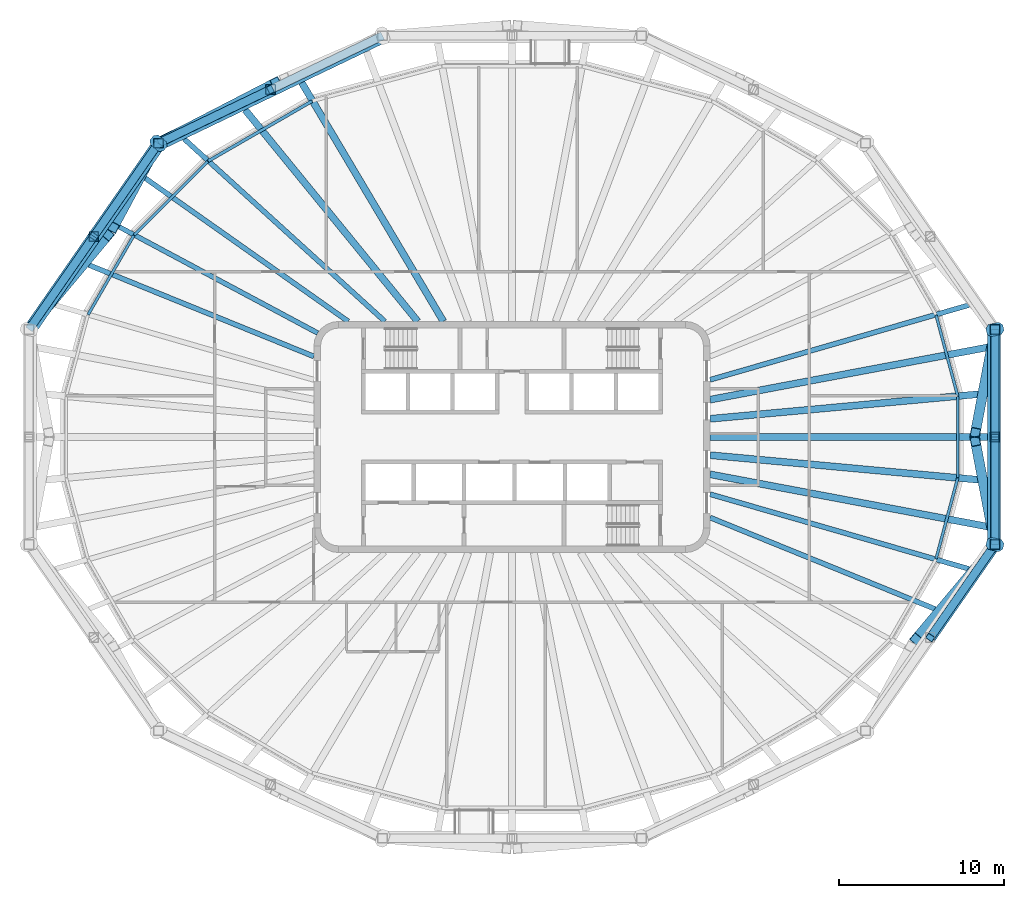
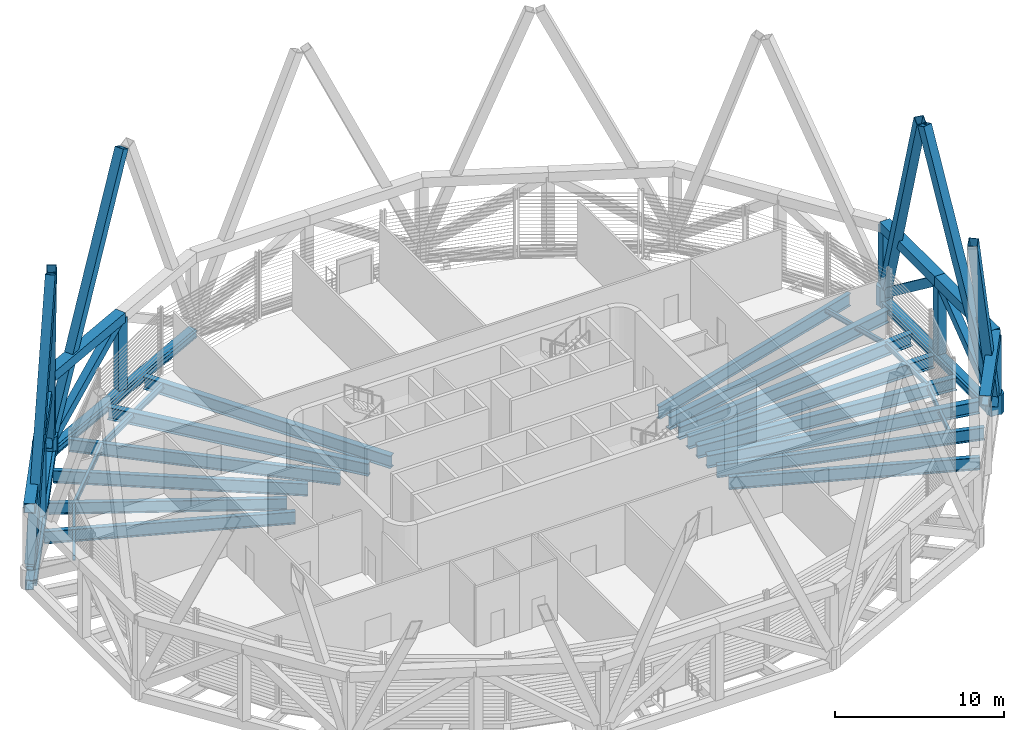
# One storey, part 3 of 16: 27 members, 26 beams.
"""IFC4 building model written with IfcOpenShell, lengths in metres."""

from ifc_helpers import new_model, si_unit, direction, frame, origin, origin_2d, place, context, subcontext, project, spatial, polyline, hollow_rectangle, i_section, outline, extrude, material, material_profile, profile_set, type_object, element, save


model = new_model("IFC4")

# Units and contexts
model_context = context("Model", 3, precision=1e-05, world=origin(), true_north=direction((0.0, 1.0)))
body_context = subcontext(model_context, "Body", "Model", "MODEL_VIEW")
ifc_project = project(units=[si_unit("LENGTHUNIT", "METRE"), si_unit("AREAUNIT", "SQUARE_METRE"), si_unit("VOLUMEUNIT", "CUBIC_METRE"), si_unit("PLANEANGLEUNIT", "RADIAN"), si_unit("MASSUNIT", "GRAM", prefix="KILO")], contexts=[model_context])

# Site, building, storey
site_placement = place(None, origin())
site = spatial("IfcSite", under=ifc_project, at=site_placement, CompositionType="ELEMENT")
building_placement = place(site_placement, origin())
building = spatial("IfcBuilding", under=site, at=building_placement, Name="Sahrelin Media Tower", CompositionType="ELEMENT")
storey_placement = place(building_placement, frame((0.0, 0.0, 299.0)))
storey = spatial("IfcBuildingStorey", under=building, at=storey_placement, Name="L66", CompositionType="ELEMENT", Elevation=299.0)

# Members
ifc_material_1 = material(Name="Steel S460", Category="steel")
ifc_material_profile_1 = material_profile(ifc_material_1, hollow_rectangle(XDim=0.699951171875, YDim=0.699951171875, WallThickness=0.044921875, at=origin_2d()), Name="Belt truss chord BC")
ifc_profile_set_1 = profile_set([ifc_material_profile_1], Name="Steel S460")
member_type_1 = type_object("IfcMemberType", Name="Belt truss chord BC", PredefinedType="CHORD", material=ifc_profile_set_1)
member_1_placement = place(storey_placement, frame((-14.625, 21.047119140625, 4.89990234375), z_axis=(-0.901630319663, -0.432507533651, 0.0), x_axis=(0.432507533651, -0.901630319663, 0.0)))
element("IfcMember", 1, at=member_1_placement, inside=storey, type_object=member_type_1, Name="Belt truss member BT15-03-T2", PredefinedType="CHORD", context=body_context, shape_type="SweptSolid", body=[
    extrude(hollow_rectangle(XDim=0.699951171875, YDim=0.699951171875, WallThickness=0.044921875, at=origin_2d()), origin(), (0.0, 0.0, 1.0), 7.52783203125),
])
for number, where, z_axis, x_axis, name in (
    (2, (-21.412353515625, 17.791259765625, 4.89990234375), (-0.57061963931, -0.821214483088, 0.0), (0.821214483088, -0.57061963931, 0.0), "Belt truss member BT15-04-T1"),
    (3, (-25.3310546875, 12.151611328125, 4.89990234375), (-0.57061963931, -0.821214483088, 0.0), (0.821214483088, -0.57061963931, 0.0), "Belt truss member BT15-04-T2"),
    (4, (25.3310546875, -12.151611328125, 4.89990234375), (0.57061963931, 0.821214483088, 0.0), (-0.821214483088, 0.57061963931, 0.0), "Belt truss member BT15-10-T2"),
):
    element("IfcMember", number, at=place(storey_placement, frame(where, z_axis=z_axis, x_axis=x_axis)), inside=storey, type_object=member_type_1, Name=name, PredefinedType="CHORD", context=body_context, shape_type="SweptSolid", body=[
        extrude(hollow_rectangle(XDim=0.699951171875, YDim=0.699951171875, WallThickness=0.044921875, at=origin_2d()), origin(), (0.0, 0.0, 1.0), 6.867431640625),
    ])
for number, where, z_axis, x_axis, name in (
    (5, (29.249755859375, -6.511962890625, 4.89990234375), (0.0, 1.0, 0.0), (-1.0, 0.0, 0.0), "Belt truss member BT15-11-T1"),
    (6, (29.249755859375, 0.0, 4.89990234375), (0.0, 1.0, 0.0), (-1.0, 0.0, 0.0), "Belt truss member BT15-11-T2"),
):
    element("IfcMember", number, at=place(storey_placement, frame(where, z_axis=z_axis, x_axis=x_axis)), inside=storey, type_object=member_type_1, Name=name, PredefinedType="CHORD", context=body_context, shape_type="SweptSolid", body=[
        extrude(hollow_rectangle(XDim=0.699951171875, YDim=0.699951171875, WallThickness=0.044921875, at=origin_2d()), origin(), (0.0, 0.0, 1.0), 6.511962890625),
    ])
ifc_material_profile_2 = material_profile(ifc_material_1, hollow_rectangle(XDim=0.5, YDim=0.60009765625, WallThickness=0.030029296875, at=origin_2d()), Name="Belt truss diagonal BD")
ifc_profile_set_2 = profile_set([ifc_material_profile_2], Name="Steel S460")
member_type_2 = type_object("IfcMemberType", Name="Belt truss diagonal BD", PredefinedType="BRACE", material=ifc_profile_set_2)
member_2_placement = place(storey_placement, frame((-21.040283203125, 17.9697265625, 0.2685546875), z_axis=(0.755651842776, 0.362483977554, 0.545523288711), x_axis=(-0.432509071773, 0.901629581832, 0.0)))
element("IfcMember", 7, at=member_2_placement, inside=storey, type_object=member_type_2, Name="Belt truss member BT15-03-X2", PredefinedType="BRACE", context=body_context, shape_type="SweptSolid", body=[
    extrude(hollow_rectangle(XDim=0.5, YDim=0.60009765625, WallThickness=0.030029296875, at=origin_2d()), origin(), (0.0, 0.0, 1.0), 8.48974609375),
])
member_3_placement = place(storey_placement, frame((-21.627197265625, 17.482177734375, 0.2685546875), z_axis=(-0.464498339308, -0.668502850205, 0.580814283612), x_axis=(0.8212201551, -0.570611476276, 0.0)))
element("IfcMember", 8, at=member_3_placement, inside=storey, type_object=member_type_2, Name="Belt truss member BT15-04-X1", PredefinedType="BRACE", context=body_context, shape_type="SweptSolid", body=[
    extrude(hollow_rectangle(XDim=0.5, YDim=0.60009765625, WallThickness=0.030029296875, at=origin_2d()), origin(), (0.0, 0.0, 1.0), 7.973876953125),
])
for number, where, z_axis, x_axis, name in (
    (9, (-29.0185546875, 6.8447265625, 0.2890625), (0.464505666536, 0.668495741094, 0.580816606077), (-0.821213093628, 0.570621638964, 0.0), "Belt truss member BT15-04-X2"),
    (10, (29.0185546875, -6.8447265625, 0.2890625), (-0.464505666536, -0.668495741094, 0.580816606077), (0.821213093628, -0.570621638964, 0.0), "Belt truss member BT15-10-X2"),
):
    element("IfcMember", number, at=place(storey_placement, frame(where, z_axis=z_axis, x_axis=x_axis)), inside=storey, type_object=member_type_2, Name=name, PredefinedType="BRACE", context=body_context, shape_type="SweptSolid", body=[
        extrude(hollow_rectangle(XDim=0.5, YDim=0.60009765625, WallThickness=0.030029296875, at=origin_2d()), origin(), (0.0, 0.0, 1.0), 7.9384765625),
    ])
for number, where, z_axis, x_axis, name in (
    (11, (29.249755859375, -6.127685546875, 0.2890625), (0.0, 0.799055387319, 0.601257422404), (-1.0, 0.0, 0.0), "Belt truss member BT15-11-X1"),
    (12, (29.249755859375, 6.127685546875, 0.2890625), (0.0, -0.799055387319, 0.601257422404), (1.0, 0.0, 0.0), "Belt truss member BT15-11-X2"),
):
    element("IfcMember", number, at=place(storey_placement, frame(where, z_axis=z_axis, x_axis=x_axis)), inside=storey, type_object=member_type_2, Name=name, PredefinedType="BRACE", context=body_context, shape_type="SweptSolid", body=[
        extrude(hollow_rectangle(XDim=0.5, YDim=0.60009765625, WallThickness=0.030029296875, at=origin_2d()), origin(), (0.0, 0.0, 1.0), 7.668701171875),
    ])
ifc_material_profile_3 = material_profile(ifc_material_1, hollow_rectangle(XDim=0.60009765625, YDim=0.60009765625, WallThickness=0.034912109375, at=origin_2d()), Name="Belt truss post BP")
ifc_profile_set_3 = profile_set([ifc_material_profile_3], Name="Steel S460")
member_type_3 = type_object("IfcMemberType", Name="Belt truss post BP", PredefinedType="POST", material=ifc_profile_set_3)
member_4_placement = place(storey_placement, frame((29.249755859375, 6.511962890625, 0.699951171875), z_axis=(0.0, 0.0, 1.0), x_axis=(1.0, 0.0, 0.0)))
element("IfcMember", 13, at=member_4_placement, inside=storey, type_object=member_type_3, Name="Belt truss member BT15-00-P0", PredefinedType="POST", context=body_context, shape_type="SweptSolid", body=[
    extrude(hollow_rectangle(XDim=0.60009765625, YDim=0.60009765625, WallThickness=0.034912109375, at=origin_2d()), origin(), (0.0, 0.0, 1.0), 4.199951171875),
])
member_5_placement = place(storey_placement, frame((-14.625, 21.047119140625, -0.320068359375), z_axis=(0.0, 0.0, 1.0), x_axis=(1.0, 0.0, 0.0)))
element("IfcMember", 14, at=member_5_placement, inside=storey, type_object=member_type_3, Name="Belt truss member BT15-03-P1", PredefinedType="POST", context=body_context, shape_type="SweptSolid", body=[
    extrude(hollow_rectangle(XDim=0.60009765625, YDim=0.60009765625, WallThickness=0.034912109375, at=origin_2d()), origin(), (0.0, 0.0, 1.0), 5.219970703125),
])
member_6_placement = place(storey_placement, frame((-21.412353515625, 17.791259765625, 0.699951171875), z_axis=(0.0, 0.0, 1.0), x_axis=(1.0, 0.0, 0.0)))
element("IfcMember", 15, at=member_6_placement, inside=storey, type_object=member_type_3, Name="Belt truss member BT15-04-P0", PredefinedType="POST", context=body_context, shape_type="SweptSolid", body=[
    extrude(hollow_rectangle(XDim=0.60009765625, YDim=0.60009765625, WallThickness=0.034912109375, at=origin_2d()), origin(), (0.0, 0.0, 1.0), 4.199951171875),
])
member_7_placement = place(storey_placement, frame((-25.3310546875, 12.151611328125, -0.320068359375), z_axis=(0.0, 0.0, 1.0), x_axis=(1.0, 0.0, 0.0)))
element("IfcMember", 16, at=member_7_placement, inside=storey, type_object=member_type_3, Name="Belt truss member BT15-04-P1", PredefinedType="POST", context=body_context, shape_type="SweptSolid", body=[
    extrude(hollow_rectangle(XDim=0.60009765625, YDim=0.60009765625, WallThickness=0.034912109375, at=origin_2d()), origin(), (0.0, 0.0, 1.0), 5.219970703125),
])
member_8_placement = place(storey_placement, frame((29.249755859375, -6.511962890625, 0.699951171875), z_axis=(0.0, 0.0, 1.0), x_axis=(1.0, 0.0, 0.0)))
element("IfcMember", 17, at=member_8_placement, inside=storey, type_object=member_type_3, Name="Belt truss member BT15-11-P0", PredefinedType="POST", context=body_context, shape_type="SweptSolid", body=[
    extrude(hollow_rectangle(XDim=0.60009765625, YDim=0.60009765625, WallThickness=0.034912109375, at=origin_2d()), origin(), (0.0, 0.0, 1.0), 4.199951171875),
])
member_9_placement = place(storey_placement, frame((29.249755859375, 0.0, -0.320068359375), z_axis=(0.0, 0.0, 1.0), x_axis=(1.0, 0.0, 0.0)))
element("IfcMember", 18, at=member_9_placement, inside=storey, type_object=member_type_3, Name="Belt truss member BT15-11-P1", PredefinedType="POST", context=body_context, shape_type="SweptSolid", body=[
    extrude(hollow_rectangle(XDim=0.60009765625, YDim=0.60009765625, WallThickness=0.034912109375, at=origin_2d()), origin(), (0.0, 0.0, 1.0), 5.219970703125),
])
ifc_material_profile_4 = material_profile(ifc_material_1, hollow_rectangle(XDim=0.60009765625, YDim=0.60009765625, WallThickness=0.030029296875, at=origin_2d()), Name="Diagrid diagonal DG9")
ifc_profile_set_4 = profile_set([ifc_material_profile_4], Name="Steel S460")
member_type_4 = type_object("IfcMemberType", Name="Diagrid diagonal DG9", PredefinedType="BRACE", material=ifc_profile_set_4)
member_10_placement = place(storey_placement, frame((29.2001953125, 6.25, 0.699951171875), z_axis=(-0.066220612118, -0.349740084714, 0.934503453003), x_axis=(0.982542746924, -0.186036959951, 0.0)))
element("IfcMember", 19, at=member_10_placement, inside=storey, type_object=member_type_4, Name="Diagrid diagonal D15-00", PredefinedType="BRACE", context=body_context, shape_type="SweptSolid", body=[
    extrude(hollow_rectangle(XDim=0.60009765625, YDim=0.60009765625, WallThickness=0.030029296875, at=origin_2d()), origin(), (0.0, 0.0, 1.0), 17.121337890625),
])
member_11_placement = place(storey_placement, frame((-21.114501953125, 17.945068359375, 0.699951171875), z_axis=(0.38375642094, 0.198346169942, 0.901881259511), x_axis=(-0.459151636747, 0.888357908994, 0.0)))
element("IfcMember", 20, at=member_11_placement, inside=storey, type_object=member_type_4, Name="Diagrid diagonal D15-08", PredefinedType="BRACE", context=body_context, shape_type="SweptSolid", body=[
    extrude(hollow_rectangle(XDim=0.60009765625, YDim=0.60009765625, WallThickness=0.030029296875, at=origin_2d()), origin(), (0.0, 0.0, 1.0), 17.74072265625),
])
member_12_placement = place(storey_placement, frame((-21.527099609375, 17.57763671875, 0.699951171875), z_axis=(-0.154809391021, -0.288380611885, 0.944918343107), x_axis=(0.88107296404, -0.472980371726, 0.0)))
element("IfcMember", 21, at=member_12_placement, inside=storey, type_object=member_type_4, Name="Diagrid diagonal D15-09", PredefinedType="BRACE", context=body_context, shape_type="SweptSolid", body=[
    extrude(hollow_rectangle(XDim=0.60009765625, YDim=0.60009765625, WallThickness=0.030029296875, at=origin_2d()), origin(), (0.0, 0.0, 1.0), 16.9326171875),
])
for number, where, z_axis, x_axis, name in (
    (22, (-29.049072265625, 6.752197265625, 0.699951171875), (0.261627271763, 0.313183766773, 0.912944192654), (-0.767448460671, 0.641110645844, 0.0), "Diagrid diagonal D15-10"),
    (23, (29.049072265625, -6.752197265625, 0.699951171875), (-0.261627271763, -0.313183766773, 0.912944192654), (0.767448460671, -0.641110645844, 0.0), "Diagrid diagonal D15-22"),
):
    element("IfcMember", number, at=place(storey_placement, frame(where, z_axis=z_axis, x_axis=x_axis)), inside=storey, type_object=member_type_4, Name=name, PredefinedType="BRACE", context=body_context, shape_type="SweptSolid", body=[
        extrude(hollow_rectangle(XDim=0.60009765625, YDim=0.60009765625, WallThickness=0.030029296875, at=origin_2d()), origin(), (0.0, 0.0, 1.0), 17.525634765625),
    ])
member_13_placement = place(storey_placement, frame((29.2001953125, -6.25, 0.699951171875), z_axis=(-0.066220612118, 0.349740084714, 0.934503453003), x_axis=(-0.982542746924, -0.186036959951, 0.0)))
element("IfcMember", 24, at=member_13_placement, inside=storey, type_object=member_type_4, Name="Diagrid diagonal D15-23", PredefinedType="BRACE", context=body_context, shape_type="SweptSolid", body=[
    extrude(hollow_rectangle(XDim=0.60009765625, YDim=0.60009765625, WallThickness=0.030029296875, at=origin_2d()), origin(), (0.0, 0.0, 1.0), 17.121337890625),
])
ifc_material_profile_5 = material_profile(ifc_material_1, outline(polyline([(0.324951171875, -0.375), (0.52490234375, -0.175048828125), (0.52490234375, 0.175048828125), (0.324951171875, 0.375), (-0.324951171875, 0.375), (-0.52490234375, 0.175048828125), (-0.52490234375, -0.175048828125), (-0.324951171875, -0.375), (0.324951171875, -0.375)])), Name="Diagrid node block 1050")
ifc_profile_set_5 = profile_set([ifc_material_profile_5], Name="Steel S460")
member_type_5 = type_object("IfcMemberType", Name="Diagrid node block 1050", PredefinedType="USERDEFINED", material=ifc_profile_set_5)
for number, where, z_axis, x_axis, name in (
    (25, (29.249755859375, 6.511962890625, -0.699951171875), (0.0, 0.0, 1.0), (0.976101825764, 0.21731365751, 0.0), "Diagrid node N15-00"),
    (26, (-21.412353515625, 17.791259765625, -0.699951171875), (0.0, 0.0, 1.0), (-0.769146421413, 0.639072595585, 0.0), "Diagrid node N15-04"),
    (27, (29.249755859375, -6.511962890625, -0.699951171875), (0.0, 0.0, 1.0), (0.976101825764, -0.21731365751, 0.0), "Diagrid node N15-11"),
):
    element("IfcMember", number, at=place(storey_placement, frame(where, z_axis=z_axis, x_axis=x_axis)), inside=storey, type_object=member_type_5, Name=name, ObjectType="NODE", PredefinedType="USERDEFINED", context=body_context, shape_type="SweptSolid", body=[
        extrude(outline(polyline([(0.324951171875, -0.375), (0.52490234375, -0.175048828125), (0.52490234375, 0.175048828125), (0.324951171875, 0.375), (-0.324951171875, 0.375), (-0.52490234375, 0.175048828125), (-0.52490234375, -0.175048828125), (-0.324951171875, -0.375), (0.324951171875, -0.375)])), origin(), (0.0, 0.0, 1.0), 1.39990234375),
    ])

# Beams
ifc_material_profile_6 = material_profile(ifc_material_1, hollow_rectangle(XDim=0.5, YDim=0.699951171875, WallThickness=0.034912109375, at=origin_2d()), Name="Diagrid ring beam RB2")
ifc_profile_set_6 = profile_set([ifc_material_profile_6], Name="Steel S460")
beam_type_1 = type_object("IfcBeamType", Name="Diagrid ring beam RB2", PredefinedType="BEAM", material=ifc_profile_set_6)
beam_1_placement = place(storey_placement, frame((-7.83740234375, 24.30322265625, -0.64990234375), z_axis=(-0.901627029538, -0.432514392369, 0.0), x_axis=(0.432514392369, -0.901627029538, 0.0)))
element("IfcBeam", 28, at=beam_1_placement, inside=storey, type_object=beam_type_1, Name="Diagrid ring beam RB15-03", PredefinedType="BEAM", context=body_context, shape_type="SweptSolid", body=[
    extrude(hollow_rectangle(XDim=0.5, YDim=0.699951171875, WallThickness=0.034912109375, at=origin_2d()), origin(), (0.0, 0.0, 1.0), 15.05615234375),
])
beam_2_placement = place(storey_placement, frame((-21.412353515625, 17.791259765625, -0.64990234375), z_axis=(-0.57061963931, -0.821214483088, 0.0), x_axis=(0.821214483088, -0.57061963931, 0.0)))
element("IfcBeam", 29, at=beam_2_placement, inside=storey, type_object=beam_type_1, Name="Diagrid ring beam RB15-04", PredefinedType="BEAM", context=body_context, shape_type="SweptSolid", body=[
    extrude(hollow_rectangle(XDim=0.5, YDim=0.699951171875, WallThickness=0.034912109375, at=origin_2d()), origin(), (0.0, 0.0, 1.0), 13.73486328125),
])
beam_3_placement = place(storey_placement, frame((29.249755859375, -6.511962890625, -0.64990234375), z_axis=(0.0, 1.0, 0.0), x_axis=(-1.0, 0.0, 0.0)))
element("IfcBeam", 30, at=beam_3_placement, inside=storey, type_object=beam_type_1, Name="Diagrid ring beam RB15-11", PredefinedType="BEAM", context=body_context, shape_type="SweptSolid", body=[
    extrude(hollow_rectangle(XDim=0.5, YDim=0.699951171875, WallThickness=0.034912109375, at=origin_2d()), origin(), (0.0, 0.0, 1.0), 13.02392578125),
])
ifc_material_2 = material(Name="Steel S355", Category="steel")
ifc_material_profile_7 = material_profile(ifc_material_2, i_section(OverallWidth=0.1650390625, OverallDepth=0.303466796875, WebThickness=0.006103515625, FlangeThickness=0.01025390625, FilletRadius=0.0087890625, at=origin_2d()), Name="UB 305x165x40")
ifc_profile_set_7 = profile_set([ifc_material_profile_7], Name="Steel S355")
beam_type_2 = type_object("IfcBeamType", Name="Edge beam EB2", PredefinedType="BEAM", material=ifc_profile_set_7)
beam_4_placement = place(storey_placement, frame((27.00244140625, 2.456298828125, -0.45166015625), z_axis=(0.0, -1.0, 0.0), x_axis=(1.0, 0.0, 0.0)))
element("IfcBeam", 31, at=beam_4_placement, inside=storey, type_object=beam_type_2, Name="Edge beam L66-01", PredefinedType="BEAM", context=body_context, shape_type="SweptSolid", body=[
    extrude(i_section(OverallWidth=0.1650390625, OverallDepth=0.303466796875, WebThickness=0.006103515625, FlangeThickness=0.01025390625, FilletRadius=0.0087890625, at=origin_2d()), origin(), (0.0, 0.0, 1.0), 4.91259765625),
])
ifc_material_profile_8 = material_profile(ifc_material_2, i_section(OverallWidth=0.17138671875, OverallDepth=0.35498046875, WebThickness=0.00732421875, FlangeThickness=0.011474609375, FilletRadius=0.01025390625, at=origin_2d()), Name="UB 356x171x51")
ifc_profile_set_8 = profile_set([ifc_material_profile_8], Name="Steel S355")
beam_type_3 = type_object("IfcBeamType", Name="Edge beam EB3", PredefinedType="BEAM", material=ifc_profile_set_8)
beam_5_placement = place(storey_placement, frame((26.99853515625, -2.485107421875, -0.4775390625), z_axis=(-0.258828351964, -0.965923332475, 0.0), x_axis=(0.965923332475, -0.258828351964, 0.0)))
element("IfcBeam", 32, at=beam_5_placement, inside=storey, type_object=beam_type_3, Name="Edge beam L66-02", PredefinedType="BEAM", context=body_context, shape_type="SweptSolid", body=[
    extrude(i_section(OverallWidth=0.17138671875, OverallDepth=0.35498046875, WebThickness=0.00732421875, FlangeThickness=0.011474609375, FilletRadius=0.01025390625, at=origin_2d()), origin(), (0.0, 0.0, 1.0), 5.070068359375),
])
beam_6_placement = place(storey_placement, frame((-25.67529296875, 7.408935546875, -0.4775390625), z_axis=(0.499971556956, 0.866041824761, 0.0), x_axis=(-0.866041824761, 0.499971556956, 0.0)))
element("IfcBeam", 33, at=beam_6_placement, inside=storey, type_object=beam_type_3, Name="Edge beam L66-15", PredefinedType="BEAM", context=body_context, shape_type="SweptSolid", body=[
    extrude(i_section(OverallWidth=0.17138671875, OverallDepth=0.35498046875, WebThickness=0.00732421875, FlangeThickness=0.011474609375, FilletRadius=0.01025390625, at=origin_2d()), origin(), (0.0, 0.0, 1.0), 5.542724609375),
])
beam_7_placement = place(storey_placement, frame((25.686279296875, 7.38232421875, -0.4775390625), z_axis=(0.258828351964, -0.965923332475, 0.0), x_axis=(0.965923332475, 0.258828351964, 0.0)))
element("IfcBeam", 34, at=beam_7_placement, inside=storey, type_object=beam_type_3, Name="Edge beam L66-24", PredefinedType="BEAM", context=body_context, shape_type="SweptSolid", body=[
    extrude(i_section(OverallWidth=0.17138671875, OverallDepth=0.35498046875, WebThickness=0.00732421875, FlangeThickness=0.011474609375, FilletRadius=0.01025390625, at=origin_2d()), origin(), (0.0, 0.0, 1.0), 5.070068359375),
])
ifc_material_profile_9 = material_profile(ifc_material_2, i_section(OverallWidth=0.177978515625, OverallDepth=0.406494140625, WebThickness=0.0078125, FlangeThickness=0.0126953125, FilletRadius=0.01025390625, at=origin_2d()), Name="UB 406x178x60")
ifc_profile_set_9 = profile_set([ifc_material_profile_9], Name="Steel S355")
beam_type_4 = type_object("IfcBeamType", Name="Edge beam EB4", PredefinedType="BEAM", material=ifc_profile_set_9)
beam_8_placement = place(storey_placement, frame((-22.886474609375, 12.232177734375, -0.503173828125), z_axis=(0.707126124563, 0.707087437281, 0.0), x_axis=(-0.707087437281, 0.707126124563, 0.0)))
element("IfcBeam", 35, at=beam_8_placement, inside=storey, type_object=beam_type_4, Name="Edge beam L66-16", PredefinedType="BEAM", context=body_context, shape_type="SweptSolid", body=[
    extrude(i_section(OverallWidth=0.177978515625, OverallDepth=0.406494140625, WebThickness=0.0078125, FlangeThickness=0.0126953125, FilletRadius=0.01025390625, at=origin_2d()), origin(), (0.0, 0.0, 1.0), 6.310546875),
])
ifc_material_profile_10 = material_profile(ifc_material_2, i_section(OverallWidth=0.1904296875, OverallDepth=0.45703125, WebThickness=0.009033203125, FlangeThickness=0.014404296875, FilletRadius=0.01025390625, at=origin_2d()), Name="UB 457x191x74")
ifc_profile_set_10 = profile_set([ifc_material_profile_10], Name="Steel S355")
beam_type_5 = type_object("IfcBeamType", Name="Edge beam EB5", PredefinedType="BEAM", material=ifc_profile_set_10)
beam_9_placement = place(storey_placement, frame((-18.401123046875, 16.7119140625, -0.528564453125), z_axis=(0.866020397698, 0.500008670696, 0.0), x_axis=(-0.500008670696, 0.866020397698, 0.0)))
element("IfcBeam", 36, at=beam_9_placement, inside=storey, type_object=beam_type_5, Name="Edge beam L66-17", PredefinedType="BEAM", context=body_context, shape_type="SweptSolid", body=[
    extrude(i_section(OverallWidth=0.1904296875, OverallDepth=0.45703125, WebThickness=0.009033203125, FlangeThickness=0.014404296875, FilletRadius=0.01025390625, at=origin_2d()), origin(), (0.0, 0.0, 1.0), 7.260498046875),
])
ifc_material_profile_11 = material_profile(ifc_material_2, i_section(OverallWidth=0.291748046875, OverallDepth=0.8349609375, WebThickness=0.013916015625, FlangeThickness=0.018798828125, FilletRadius=0.017822265625, at=origin_2d()), Name="UB 838x292x176")
ifc_profile_set_11 = profile_set([ifc_material_profile_11], Name="Steel S355")
beam_type_6 = type_object("IfcBeamType", Name="Radial primary beam PB10", PredefinedType="BEAM", material=ifc_profile_set_11)
beam_10_placement = place(storey_placement, frame((-11.76513671875, 6.294189453125, -0.71728515625), z_axis=(-0.881741530258, 0.471732841573, 0.0), x_axis=(-0.471732841573, -0.881741530258, 0.0)))
element("IfcBeam", 37, at=beam_10_placement, inside=storey, type_object=beam_type_6, Name="Radial beam L66-10", PredefinedType="BEAM", context=body_context, shape_type="SweptSolid", body=[
    extrude(i_section(OverallWidth=0.291748046875, OverallDepth=0.8349609375, WebThickness=0.013916015625, FlangeThickness=0.018798828125, FilletRadius=0.017822265625, at=origin_2d()), origin(), (0.0, 0.0, 1.0), 14.132568359375),
])
ifc_material_profile_12 = material_profile(ifc_material_2, i_section(OverallWidth=0.30322265625, OverallDepth=0.903076171875, WebThickness=0.01513671875, FlangeThickness=0.020263671875, FilletRadius=0.01904296875, at=origin_2d()), Name="UB 914x305x201")
ifc_profile_set_12 = profile_set([ifc_material_profile_12], Name="Steel S355")
beam_type_7 = type_object("IfcBeamType", Name="Radial primary beam PB11", PredefinedType="BEAM", material=ifc_profile_set_12)
beam_11_placement = place(storey_placement, frame((12.0, 3.464111328125, -0.75146484375), z_axis=(0.960769562695, 0.277347881547, 0.0), x_axis=(-0.277347881547, 0.960769562695, 0.0)))
element("IfcBeam", 38, at=beam_11_placement, inside=storey, type_object=beam_type_7, Name="Radial beam L66-02", PredefinedType="BEAM", context=body_context, shape_type="SweptSolid", body=[
    extrude(i_section(OverallWidth=0.30322265625, OverallDepth=0.903076171875, WebThickness=0.01513671875, FlangeThickness=0.020263671875, FilletRadius=0.01904296875, at=origin_2d()), origin(), (0.0, 0.0, 1.0), 16.320068359375),
])
beam_12_placement = place(storey_placement, frame((-7.699462890625, 7.0, -0.75146484375), z_axis=(-0.739921909671, 0.672692773552, 0.0), x_axis=(-0.672692773552, -0.739921909671, 0.0)))
element("IfcBeam", 39, at=beam_12_placement, inside=storey, type_object=beam_type_7, Name="Radial beam L66-09", PredefinedType="BEAM", context=body_context, shape_type="SweptSolid", body=[
    extrude(i_section(OverallWidth=0.30322265625, OverallDepth=0.903076171875, WebThickness=0.01513671875, FlangeThickness=0.020263671875, FilletRadius=0.01904296875, at=origin_2d()), origin(), (0.0, 0.0, 1.0), 16.421630859375),
])
beam_13_placement = place(storey_placement, frame((12.0, -3.464111328125, -0.75146484375), z_axis=(0.960769562695, -0.277347881547, 0.0), x_axis=(0.277347881547, 0.960769562695, 0.0)))
element("IfcBeam", 40, at=beam_13_placement, inside=storey, type_object=beam_type_7, Name="Radial beam L66-23", PredefinedType="BEAM", context=body_context, shape_type="SweptSolid", body=[
    extrude(i_section(OverallWidth=0.30322265625, OverallDepth=0.903076171875, WebThickness=0.01513671875, FlangeThickness=0.020263671875, FilletRadius=0.01904296875, at=origin_2d()), origin(), (0.0, 0.0, 1.0), 16.320068359375),
])
ifc_material_profile_13 = material_profile(ifc_material_2, i_section(OverallWidth=0.41845703125, OverallDepth=0.911865234375, WebThickness=0.019287109375, FlangeThickness=0.031982421875, FilletRadius=0.024169921875, at=origin_2d()), Name="UB 914x419x343")
ifc_profile_set_13 = profile_set([ifc_material_profile_13], Name="Steel S355")
beam_type_8 = type_object("IfcBeamType", Name="Radial primary beam PB12", PredefinedType="BEAM", material=ifc_profile_set_13)
beam_14_placement = place(storey_placement, frame((12.0, 1.100830078125, -0.755859375), z_axis=(0.995820190558, 0.091335360497, 0.0), x_axis=(-0.091335360497, 0.995820190558, 0.0)))
element("IfcBeam", 41, at=beam_14_placement, inside=storey, type_object=beam_type_8, Name="Radial beam L66-01", PredefinedType="BEAM", context=body_context, shape_type="SweptSolid", body=[
    extrude(i_section(OverallWidth=0.41845703125, OverallDepth=0.911865234375, WebThickness=0.019287109375, FlangeThickness=0.031982421875, FilletRadius=0.024169921875, at=origin_2d()), origin(), (0.0, 0.0, 1.0), 16.874755859375),
])
beam_15_placement = place(storey_placement, frame((-4.15380859375, 7.0, -0.755859375), z_axis=(-0.510328059934, 0.859979808626, 0.0), x_axis=(-0.859979808626, -0.510328059934, 0.0)))
element("IfcBeam", 42, at=beam_15_placement, inside=storey, type_object=beam_type_8, Name="Radial beam L66-08", PredefinedType="BEAM", context=body_context, shape_type="SweptSolid", body=[
    extrude(i_section(OverallWidth=0.41845703125, OverallDepth=0.911865234375, WebThickness=0.019287109375, FlangeThickness=0.031982421875, FilletRadius=0.024169921875, at=origin_2d()), origin(), (0.0, 0.0, 1.0), 16.814208984375),
])
beam_16_placement = place(storey_placement, frame((12.0, -1.100830078125, -0.755859375), z_axis=(0.995820190558, -0.091335360497, 0.0), x_axis=(0.091335360497, 0.995820190558, 0.0)))
element("IfcBeam", 43, at=beam_16_placement, inside=storey, type_object=beam_type_8, Name="Radial beam L66-24", PredefinedType="BEAM", context=body_context, shape_type="SweptSolid", body=[
    extrude(i_section(OverallWidth=0.41845703125, OverallDepth=0.911865234375, WebThickness=0.019287109375, FlangeThickness=0.031982421875, FilletRadius=0.024169921875, at=origin_2d()), origin(), (0.0, 0.0, 1.0), 16.874755859375),
])
ifc_material_profile_14 = material_profile(ifc_material_2, i_section(OverallWidth=0.30322265625, OverallDepth=0.903076171875, WebThickness=0.01513671875, FlangeThickness=0.020263671875, FilletRadius=0.01904296875, at=origin_2d()), Name="UB 914x305x201")
ifc_profile_set_14 = profile_set([ifc_material_profile_14], Name="Steel S355")
beam_type_9 = type_object("IfcBeamType", Name="Radial secondary beam SB11", PredefinedType="BEAM", material=ifc_profile_set_14)
beam_17_placement = place(storey_placement, frame((-9.9189453125, 7.0, -0.75146484375), z_axis=(-0.817034395739, 0.576588931717, 0.0), x_axis=(-0.576588931717, -0.817034395739, 0.0)))
element("IfcBeam", 44, at=beam_17_placement, inside=storey, type_object=beam_type_9, Name="Secondary beam L66-09", PredefinedType="BEAM", context=body_context, shape_type="SweptSolid", body=[
    extrude(i_section(OverallWidth=0.30322265625, OverallDepth=0.903076171875, WebThickness=0.01513671875, FlangeThickness=0.020263671875, FilletRadius=0.01904296875, at=origin_2d()), origin(), (0.0, 0.0, 1.0), 15.1513671875),
])
for number, where, z_axis, x_axis, name in (
    (45, (-12.0, 4.878662109375, -0.75146484375), (-0.926368760693, 0.376617736189, 0.0), (-0.376617736189, -0.926368760693, 0.0), "Secondary beam L66-10"),
    (46, (12.0, -4.878662109375, -0.75146484375), (0.926368760693, -0.376617736189, 0.0), (0.376617736189, 0.926368760693, 0.0), "Secondary beam L66-22"),
):
    element("IfcBeam", number, at=place(storey_placement, frame(where, z_axis=z_axis, x_axis=x_axis)), inside=storey, type_object=beam_type_9, Name=name, PredefinedType="BEAM", context=body_context, shape_type="SweptSolid", body=[
        extrude(i_section(OverallWidth=0.30322265625, OverallDepth=0.903076171875, WebThickness=0.01513671875, FlangeThickness=0.020263671875, FilletRadius=0.01904296875, at=origin_2d()), origin(), (0.0, 0.0, 1.0), 15.017822265625),
    ])
ifc_material_profile_15 = material_profile(ifc_material_2, i_section(OverallWidth=0.41845703125, OverallDepth=0.911865234375, WebThickness=0.019287109375, FlangeThickness=0.031982421875, FilletRadius=0.024169921875, at=origin_2d()), Name="UB 914x419x343")
ifc_profile_set_15 = profile_set([ifc_material_profile_15], Name="Steel S355")
beam_type_10 = type_object("IfcBeamType", Name="Radial secondary beam SB12", PredefinedType="BEAM", material=ifc_profile_set_15)
beam_18_placement = place(storey_placement, frame((12.0, 2.26123046875, -0.755859375), z_axis=(0.982702709221, 0.18519013281, 0.0), x_axis=(-0.18519013281, 0.982702709221, 0.0)))
element("IfcBeam", 47, at=beam_18_placement, inside=storey, type_object=beam_type_10, Name="Secondary beam L66-01", PredefinedType="BEAM", context=body_context, shape_type="SweptSolid", body=[
    extrude(i_section(OverallWidth=0.41845703125, OverallDepth=0.911865234375, WebThickness=0.019287109375, FlangeThickness=0.031982421875, FilletRadius=0.024169921875, at=origin_2d()), origin(), (0.0, 0.0, 1.0), 17.10009765625),
])
beam_19_placement = place(storey_placement, frame((-5.7099609375, 7.0, -0.755859375), z_axis=(-0.632094771487, 0.774891089031, 0.0), x_axis=(-0.774891089031, -0.632094771487, 0.0)))
element("IfcBeam", 48, at=beam_19_placement, inside=storey, type_object=beam_type_10, Name="Secondary beam L66-08", PredefinedType="BEAM", context=body_context, shape_type="SweptSolid", body=[
    extrude(i_section(OverallWidth=0.41845703125, OverallDepth=0.911865234375, WebThickness=0.019287109375, FlangeThickness=0.031982421875, FilletRadius=0.024169921875, at=origin_2d()), origin(), (0.0, 0.0, 1.0), 16.5380859375),
])
beam_20_placement = place(storey_placement, frame((12.0, -2.26123046875, -0.755859375), z_axis=(0.982702709221, -0.18519013281, 0.0), x_axis=(0.18519013281, 0.982702709221, 0.0)))
element("IfcBeam", 49, at=beam_20_placement, inside=storey, type_object=beam_type_10, Name="Secondary beam L66-23", PredefinedType="BEAM", context=body_context, shape_type="SweptSolid", body=[
    extrude(i_section(OverallWidth=0.41845703125, OverallDepth=0.911865234375, WebThickness=0.019287109375, FlangeThickness=0.031982421875, FilletRadius=0.024169921875, at=origin_2d()), origin(), (0.0, 0.0, 1.0), 17.10009765625),
])
beam_21_placement = place(storey_placement, frame((12.0, 0.0, -0.755859375), z_axis=(1.0, 0.0, 0.0), x_axis=(0.0, 1.0, 0.0)))
element("IfcBeam", 50, at=beam_21_placement, inside=storey, type_object=beam_type_10, Name="Secondary beam L66-24", PredefinedType="BEAM", context=body_context, shape_type="SweptSolid", body=[
    extrude(i_section(OverallWidth=0.41845703125, OverallDepth=0.911865234375, WebThickness=0.019287109375, FlangeThickness=0.031982421875, FilletRadius=0.024169921875, at=origin_2d()), origin(), (0.0, 0.0, 1.0), 16.80419921875),
])
ifc_material_profile_16 = material_profile(ifc_material_2, i_section(OverallWidth=0.1904296875, OverallDepth=0.45703125, WebThickness=0.009033203125, FlangeThickness=0.014404296875, FilletRadius=0.01025390625, at=origin_2d()), Name="UB 457x191x74")
ifc_profile_set_16 = profile_set([ifc_material_profile_16], Name="Steel S355")
beam_type_11 = type_object("IfcBeamType", Name="Tie chord TC5", PredefinedType="BEAM", material=ifc_profile_set_16)
beam_22_placement = place(storey_placement, frame((28.8994140625, 6.40234375, -0.528564453125), z_axis=(0.0, -1.0, 0.0), x_axis=(1.0, 0.0, 0.0)))
element("IfcBeam", 51, at=beam_22_placement, inside=storey, type_object=beam_type_11, Name="Tie chord L66-01", PredefinedType="BEAM", context=body_context, shape_type="SweptSolid", body=[
    extrude(i_section(OverallWidth=0.1904296875, OverallDepth=0.45703125, WebThickness=0.009033203125, FlangeThickness=0.014404296875, FilletRadius=0.01025390625, at=origin_2d()), origin(), (0.0, 0.0, 1.0), 12.8046875),
])
beam_23_placement = place(storey_placement, frame((-28.8994140625, 6.40234375, -0.528564453125), z_axis=(0.57062197312, 0.821212861439, 0.0), x_axis=(-0.821212861439, 0.57062197312, 0.0)))
element("IfcBeam", 52, at=beam_23_placement, inside=storey, type_object=beam_type_11, Name="Tie chord L66-08", PredefinedType="BEAM", context=body_context, shape_type="SweptSolid", body=[
    extrude(i_section(OverallWidth=0.1904296875, OverallDepth=0.45703125, WebThickness=0.009033203125, FlangeThickness=0.014404296875, FilletRadius=0.01025390625, at=origin_2d()), origin(), (0.0, 0.0, 1.0), 13.532470703125),
])
beam_24_placement = place(storey_placement, frame((-21.177490234375, 17.515380859375, -0.528564453125), z_axis=(0.901626441331, 0.432515618553, 0.0), x_axis=(-0.432515618553, 0.901626441331, 0.0)))
element("IfcBeam", 53, at=beam_24_placement, inside=storey, type_object=beam_type_11, Name="Tie chord L66-09", PredefinedType="BEAM", context=body_context, shape_type="SweptSolid", body=[
    extrude(i_section(OverallWidth=0.1904296875, OverallDepth=0.45703125, WebThickness=0.009033203125, FlangeThickness=0.014404296875, FilletRadius=0.01025390625, at=origin_2d()), origin(), (0.0, 0.0, 1.0), 14.8837890625),
])

save(model, "model.ifc")
